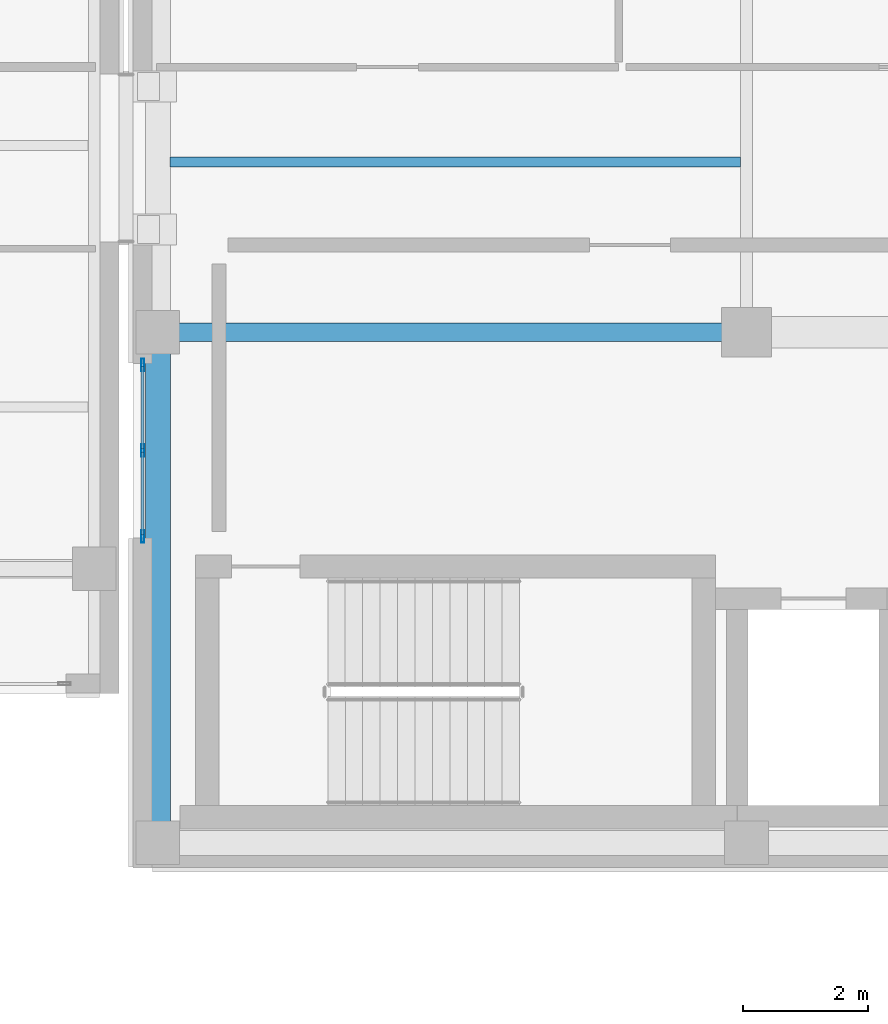
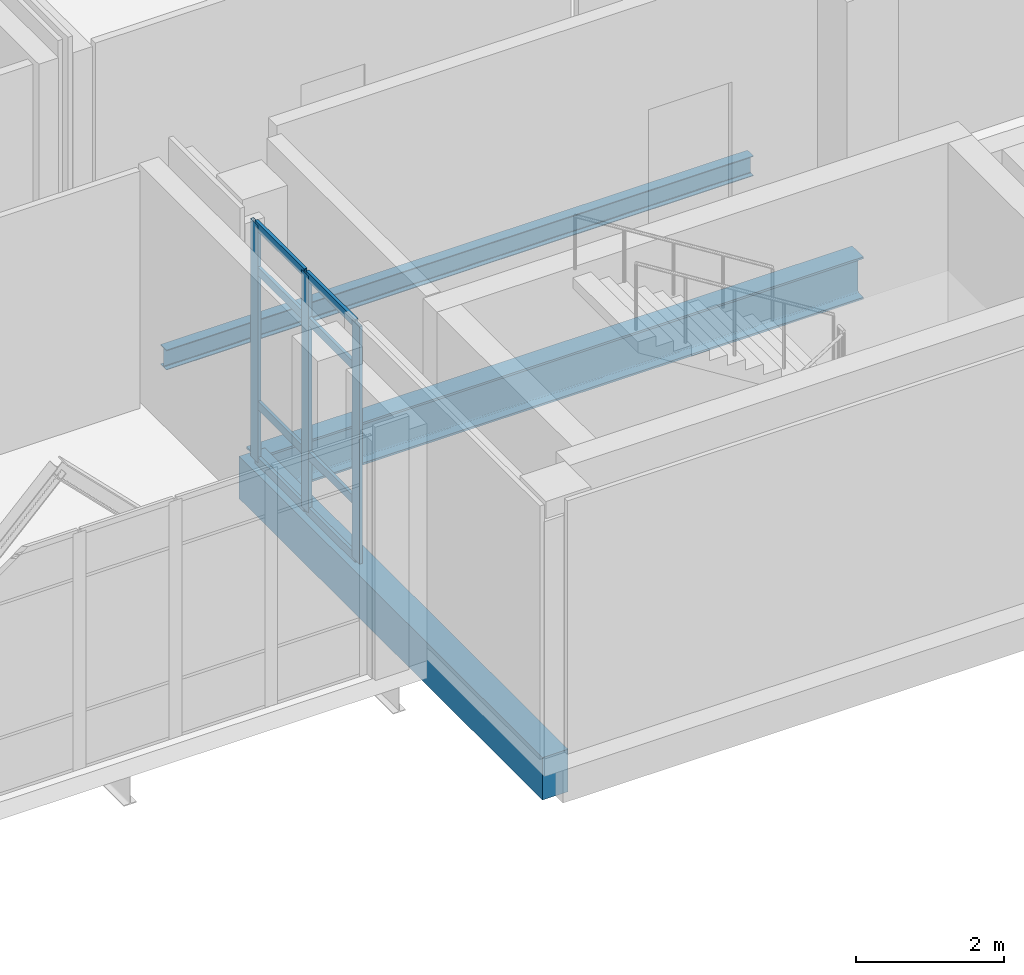
# One storey, part 10 of 193: 11 members, 3 beams, 1 element without a shape of its own.
"""IFC4 building model written with IfcOpenShell, lengths in metres."""

from ifc_helpers import new_model, si_unit, direction, frame, origin, origin_2d, place, context, subcontext, project, spatial, rectangle, hollow_rectangle, i_section, extrude, material, layer, layer_set, material_profile, profile_set, type_object, element, aggregate, save


model = new_model("IFC4")

# Units and contexts
model_context = context("Model", 3, precision=1e-05, world=origin(), true_north=direction((0.0, 1.0)))
body_context = subcontext(model_context, "Body", "Model", "MODEL_VIEW")
ifc_project = project(units=[si_unit("LENGTHUNIT", "METRE"), si_unit("AREAUNIT", "SQUARE_METRE"), si_unit("VOLUMEUNIT", "CUBIC_METRE"), si_unit("PLANEANGLEUNIT", "RADIAN"), si_unit("MASSUNIT", "GRAM", prefix="KILO")], contexts=[model_context])

# Site, building, storey
site_placement = place(None, origin())
site = spatial("IfcSite", under=ifc_project, at=site_placement, CompositionType="ELEMENT")
building_placement = place(site_placement, origin())
building = spatial("IfcBuilding", under=site, at=building_placement, Name="Qalavern Law Courts", CompositionType="ELEMENT")
storey_placement = place(building_placement, frame((0.0, 0.0, 10.199951171875)))
storey = spatial("IfcBuildingStorey", under=building, at=storey_placement, Name="L02", CompositionType="ELEMENT", Elevation=10.199951171875)

# Curtain wall, members
ifc_material_1 = material(Name="Anodised aluminium and insulated glazing", Category="aluminium")
ifc_layer = layer(ifc_material_1, 0.18505859375)
ifc_layer_set = layer_set([ifc_layer], Name="Anodised aluminium and insulated glazing")
curtain_wall_type = type_object("IfcCurtainWallType", Name="ENV-CW-HALL", PredefinedType="USERDEFINED", material=ifc_layer_set)
curtain_wall_placement = place(storey_placement, origin())
curtain_wall = element("IfcCurtainWall", 1, at=curtain_wall_placement, inside=storey, type_object=curtain_wall_type, Name="V2 unitised curtain wall L02 west 1", ObjectType="UNITISED CURTAIN WALL", PredefinedType="USERDEFINED")
ifc_material_2 = material(Name="Anodised aluminium", Category="aluminium")
ifc_material_profile_1 = material_profile(ifc_material_2, hollow_rectangle(XDim=0.048095703125, YDim=0.199951171875, WallThickness=0.00439453125, at=origin_2d()), Name="ALU MULLION 48x200")
ifc_profile_set_1 = profile_set([ifc_material_profile_1], Name="Anodised aluminium")
member_type_1 = type_object("IfcMemberType", Name="ENV-CWM-48x200", PredefinedType="MULLION", material=ifc_profile_set_1)
member_1_placement = place(storey_placement, frame((34.375, 13.27587890625, 0.0), z_axis=(0.0, 0.0, 1.0), x_axis=(1.0, 0.0, 0.0)))
member_1 = element("IfcMember", 2, at=member_1_placement, type_object=member_type_1, Name="CW-02 mullion 1", PredefinedType="MULLION", context=body_context, shape_type="SweptSolid", body=[
    extrude(hollow_rectangle(XDim=0.048095703125, YDim=0.199951171875, WallThickness=0.00439453125, at=origin_2d()), origin(), (0.0, 0.0, 1.0), 3.9150390625),
])
member_2_placement = place(storey_placement, frame((34.375, 11.89990234375, 0.0), z_axis=(0.0, 0.0, 1.0), x_axis=(1.0, 0.0, 0.0)))
member_2 = element("IfcMember", 3, at=member_2_placement, type_object=member_type_1, Name="CW-02 mullion 2", PredefinedType="MULLION", context=body_context, shape_type="SweptSolid", body=[
    extrude(hollow_rectangle(XDim=0.048095703125, YDim=0.199951171875, WallThickness=0.00439453125, at=origin_2d()), origin(), (0.0, 0.0, 1.0), 3.9150390625),
])
member_3_placement = place(storey_placement, frame((34.375, 10.52392578125, 0.0), z_axis=(0.0, 0.0, 1.0), x_axis=(1.0, 0.0, 0.0)))
member_3 = element("IfcMember", 4, at=member_3_placement, type_object=member_type_1, Name="CW-02 mullion 3", PredefinedType="MULLION", context=body_context, shape_type="SweptSolid", body=[
    extrude(hollow_rectangle(XDim=0.048095703125, YDim=0.199951171875, WallThickness=0.00439453125, at=origin_2d()), origin(), (0.0, 0.0, 1.0), 3.9150390625),
])
ifc_material_profile_2 = material_profile(ifc_material_2, hollow_rectangle(XDim=0.048095703125, YDim=0.139892578125, WallThickness=0.00390625, at=origin_2d()), Name="ALU TRANSOM 48x140")
ifc_profile_set_2 = profile_set([ifc_material_profile_2], Name="Anodised aluminium")
member_type_2 = type_object("IfcMemberType", Name="ENV-CWT-48x140", PredefinedType="USERDEFINED", material=ifc_profile_set_2)
member_4_placement = place(storey_placement, frame((34.375, 13.251953125, 0.024169921875), z_axis=(0.0, -1.0, 0.0), x_axis=(1.0, 0.0, 0.0)))
member_4 = element("IfcMember", 5, at=member_4_placement, type_object=member_type_2, Name="CW-02 transom 1.1", ObjectType="TRANSOM", PredefinedType="USERDEFINED", context=body_context, shape_type="SweptSolid", body=[
    extrude(hollow_rectangle(XDim=0.048095703125, YDim=0.139892578125, WallThickness=0.00390625, at=origin_2d()), origin(), (0.0, 0.0, 1.0), 1.327880859375),
])
member_5_placement = place(storey_placement, frame((34.375, 13.251953125, 0.949951171875), z_axis=(0.0, -1.0, 0.0), x_axis=(1.0, 0.0, 0.0)))
member_5 = element("IfcMember", 6, at=member_5_placement, type_object=member_type_2, Name="CW-02 transom 1.2", ObjectType="TRANSOM", PredefinedType="USERDEFINED", context=body_context, shape_type="SweptSolid", body=[
    extrude(hollow_rectangle(XDim=0.048095703125, YDim=0.139892578125, WallThickness=0.00390625, at=origin_2d()), origin(), (0.0, 0.0, 1.0), 1.327880859375),
])
member_6_placement = place(storey_placement, frame((34.375, 13.251953125, 3.1650390625), z_axis=(0.0, -1.0, 0.0), x_axis=(1.0, 0.0, 0.0)))
member_6 = element("IfcMember", 7, at=member_6_placement, type_object=member_type_2, Name="CW-02 transom 1.3", ObjectType="TRANSOM", PredefinedType="USERDEFINED", context=body_context, shape_type="SweptSolid", body=[
    extrude(hollow_rectangle(XDim=0.048095703125, YDim=0.139892578125, WallThickness=0.00390625, at=origin_2d()), origin(), (0.0, 0.0, 1.0), 1.327880859375),
])
member_7_placement = place(storey_placement, frame((34.375, 13.251953125, 3.89111328125), z_axis=(0.0, -1.0, 0.0), x_axis=(1.0, 0.0, 0.0)))
member_7 = element("IfcMember", 8, at=member_7_placement, type_object=member_type_2, Name="CW-02 transom 1.4", ObjectType="TRANSOM", PredefinedType="USERDEFINED", context=body_context, shape_type="SweptSolid", body=[
    extrude(hollow_rectangle(XDim=0.048095703125, YDim=0.139892578125, WallThickness=0.00390625, at=origin_2d()), origin(), (0.0, 0.0, 1.0), 1.327880859375),
])
member_8_placement = place(storey_placement, frame((34.375, 11.8759765625, 0.024169921875), z_axis=(0.0, -1.0, 0.0), x_axis=(1.0, 0.0, 0.0)))
member_8 = element("IfcMember", 9, at=member_8_placement, type_object=member_type_2, Name="CW-02 transom 2.1", ObjectType="TRANSOM", PredefinedType="USERDEFINED", context=body_context, shape_type="SweptSolid", body=[
    extrude(hollow_rectangle(XDim=0.048095703125, YDim=0.139892578125, WallThickness=0.00390625, at=origin_2d()), origin(), (0.0, 0.0, 1.0), 1.327880859375),
])
member_9_placement = place(storey_placement, frame((34.375, 11.8759765625, 0.949951171875), z_axis=(0.0, -1.0, 0.0), x_axis=(1.0, 0.0, 0.0)))
member_9 = element("IfcMember", 10, at=member_9_placement, type_object=member_type_2, Name="CW-02 transom 2.2", ObjectType="TRANSOM", PredefinedType="USERDEFINED", context=body_context, shape_type="SweptSolid", body=[
    extrude(hollow_rectangle(XDim=0.048095703125, YDim=0.139892578125, WallThickness=0.00390625, at=origin_2d()), origin(), (0.0, 0.0, 1.0), 1.327880859375),
])
member_10_placement = place(storey_placement, frame((34.375, 11.8759765625, 3.1650390625), z_axis=(0.0, -1.0, 0.0), x_axis=(1.0, 0.0, 0.0)))
member_10 = element("IfcMember", 11, at=member_10_placement, type_object=member_type_2, Name="CW-02 transom 2.3", ObjectType="TRANSOM", PredefinedType="USERDEFINED", context=body_context, shape_type="SweptSolid", body=[
    extrude(hollow_rectangle(XDim=0.048095703125, YDim=0.139892578125, WallThickness=0.00390625, at=origin_2d()), origin(), (0.0, 0.0, 1.0), 1.327880859375),
])
member_11_placement = place(storey_placement, frame((34.375, 11.8759765625, 3.89111328125), z_axis=(0.0, -1.0, 0.0), x_axis=(1.0, 0.0, 0.0)))
member_11 = element("IfcMember", 12, at=member_11_placement, type_object=member_type_2, Name="CW-02 transom 2.4", ObjectType="TRANSOM", PredefinedType="USERDEFINED", context=body_context, shape_type="SweptSolid", body=[
    extrude(hollow_rectangle(XDim=0.048095703125, YDim=0.139892578125, WallThickness=0.00390625, at=origin_2d()), origin(), (0.0, 0.0, 1.0), 1.327880859375),
])
aggregate(curtain_wall, [member_1, member_2, member_3, member_4, member_5, member_6, member_7, member_8, member_9, member_10, member_11])

# Beams
ifc_material_3 = material(Name="Steel S355", Category="steel")
ifc_material_profile_3 = material_profile(ifc_material_3, i_section(OverallWidth=0.300048828125, OverallDepth=0.699951171875, WebThickness=0.01708984375, FlangeThickness=0.031982421875, FilletRadius=0.027099609375, at=origin_2d()), Name="HEB 700")
ifc_profile_set_3 = profile_set([ifc_material_profile_3], Name="Steel S355")
beam_type_1 = type_object("IfcBeamType", Name="STR-BM-HEB700", PredefinedType="BEAM", material=ifc_profile_set_3)
beam_1_placement = place(storey_placement, frame((34.6201171875, 13.800048828125, -0.639892578125), z_axis=(1.0, 0.0, 0.0), x_axis=(0.0, 1.0, 0.0)))
element("IfcBeam", 13, at=beam_1_placement, inside=storey, type_object=beam_type_1, Name="V2 X-beam 2-1 L02", PredefinedType="BEAM", context=body_context, shape_type="SweptSolid", body=[
    extrude(i_section(OverallWidth=0.300048828125, OverallDepth=0.699951171875, WebThickness=0.01708984375, FlangeThickness=0.031982421875, FilletRadius=0.027099609375, at=origin_2d()), origin(), (0.0, 0.0, 1.0), 9.4541015625),
])
ifc_material_profile_4 = material_profile(ifc_material_3, i_section(OverallWidth=0.159912109375, OverallDepth=0.330078125, WebThickness=0.007568359375, FlangeThickness=0.011474609375, FilletRadius=0.01806640625, at=origin_2d()), Name="IPE 330")
ifc_profile_set_4 = profile_set([ifc_material_profile_4], Name="Steel S355")
beam_type_2 = type_object("IfcBeamType", Name="STR-JST-IPE330", PredefinedType="JOIST", material=ifc_profile_set_4)
beam_2_placement = place(storey_placement, frame((34.818115234375, 16.533203125, -0.454833984375), z_axis=(1.0, 0.0, 0.0), x_axis=(0.0, 1.0, 0.0)))
element("IfcBeam", 14, at=beam_2_placement, inside=storey, type_object=beam_type_2, Name="V2 secondary joist 1.2.1 L02", PredefinedType="JOIST", context=body_context, shape_type="SweptSolid", body=[
    extrude(i_section(OverallWidth=0.159912109375, OverallDepth=0.330078125, WebThickness=0.007568359375, FlangeThickness=0.011474609375, FilletRadius=0.01806640625, at=origin_2d()), origin(), (0.0, 0.0, 1.0), 9.158203125),
])
ifc_material_4 = material(Name="Concrete C40/50", Category="concrete")
ifc_material_profile_5 = material_profile(ifc_material_4, rectangle(XDim=0.39990234375, YDim=0.699951171875, at=origin_2d()), Name="RC 400x700")
ifc_profile_set_5 = profile_set([ifc_material_profile_5], Name="Concrete C40/50")
beam_type_3 = type_object("IfcBeamType", Name="STR-SP-RC400x700", PredefinedType="SPANDREL", material=ifc_profile_set_5)
beam_3_placement = place(storey_placement, frame((34.6201171875, 5.60009765625, -0.639892578125), z_axis=(0.0, 1.0, 0.0), x_axis=(-1.0, 0.0, 0.0)))
element("IfcBeam", 15, at=beam_3_placement, inside=storey, type_object=beam_type_3, Name="V2 Y-beam 1-1 L02", PredefinedType="SPANDREL", context=body_context, shape_type="SweptSolid", body=[
    extrude(rectangle(XDim=0.39990234375, YDim=0.699951171875, at=origin_2d()), origin(), (0.0, 0.0, 1.0), 8.199951171875),
])

save(model, "model.ifc")
